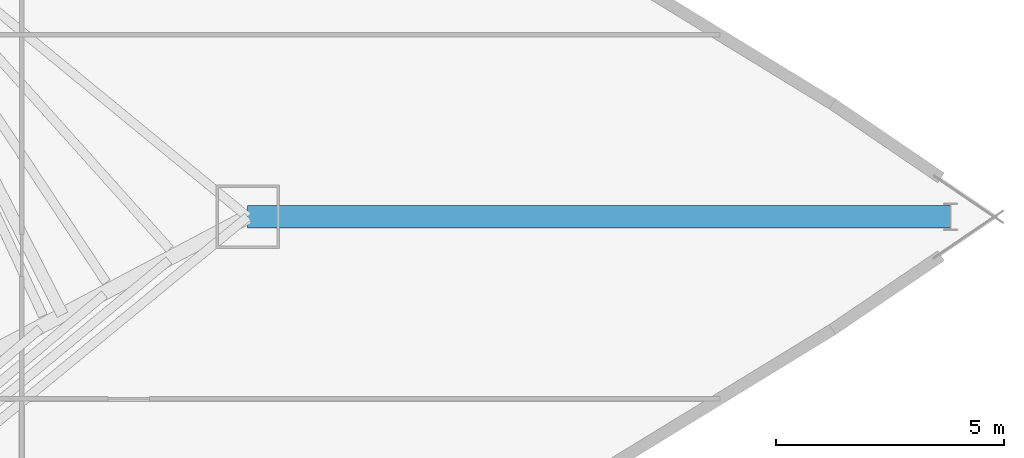
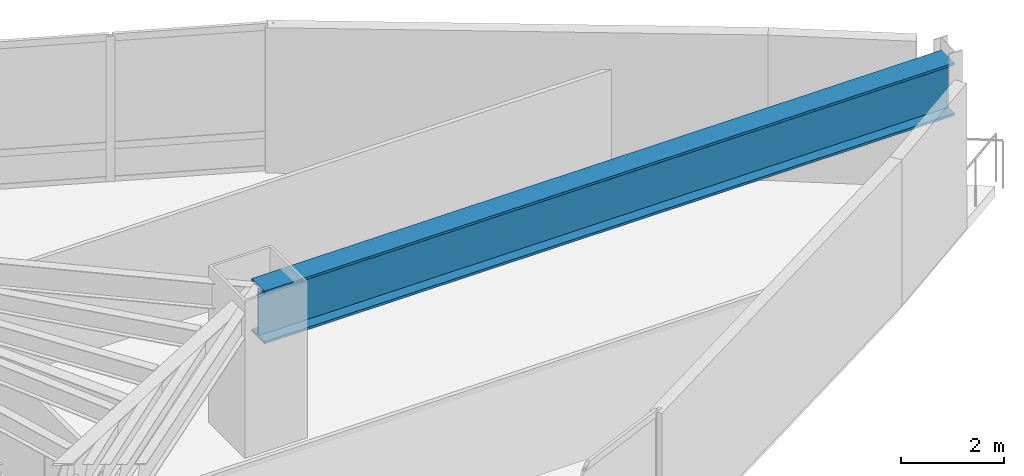
# One storey, part 12 of 20: 1 beam.
"""IFC4 building model written with IfcOpenShell, lengths in metres."""

from ifc_helpers import new_model, si_unit, direction, frame, origin, origin_2d, place, context, subcontext, project, spatial, i_section, extrude, material, material_profile, profile_set, type_object, element, save


model = new_model("IFC4")

# Units and contexts
model_context = context("Model", 3, precision=1e-05, world=origin(), true_north=direction((0.0, 1.0)))
body_context = subcontext(model_context, "Body", "Model", "MODEL_VIEW")
ifc_project = project(units=[si_unit("LENGTHUNIT", "METRE"), si_unit("AREAUNIT", "SQUARE_METRE"), si_unit("VOLUMEUNIT", "CUBIC_METRE"), si_unit("PLANEANGLEUNIT", "RADIAN"), si_unit("MASSUNIT", "GRAM", prefix="KILO")], contexts=[model_context])

# Site, building, storey
site_placement = place(None, origin())
site = spatial("IfcSite", under=ifc_project, at=site_placement, CompositionType="ELEMENT")
building_placement = place(site_placement, origin())
building = spatial("IfcBuilding", under=site, at=building_placement, Name="Menara Vayukalpa", CompositionType="ELEMENT")
storey_placement = place(building_placement, frame((0.0, 0.0, 64.800048828125)))
storey = spatial("IfcBuildingStorey", under=building, at=storey_placement, Name="L15", CompositionType="ELEMENT", Elevation=64.800048828125)

# Beam
ifc_material = material(Name="Steel S460", Category="steel")
ifc_material_profile = material_profile(ifc_material, i_section(OverallWidth=0.5, OverallDepth=1.25, WebThickness=0.028076171875, FlangeThickness=0.054931640625, at=origin_2d()), Name="WG 1250x500x28x55")
ifc_profile_set = profile_set([ifc_material_profile], Name="Steel S460")
beam_type = type_object("IfcBeamType", Name="BM-TG2", PredefinedType="BEAM", material=ifc_profile_set)
beam_placement = place(storey_placement, frame((42.46484375, 22.0, 2.81494140625), z_axis=(1.0, 0.0, 0.0), x_axis=(0.0, 1.0, 0.0)))
element("IfcBeam", 1, at=beam_placement, inside=storey, type_object=beam_type, Name="L15 SB1 Sky Bar Vierendeel Girder 01", PredefinedType="BEAM", context=body_context, shape_type="SweptSolid", body=[
    extrude(i_section(OverallWidth=0.5, OverallDepth=1.25, WebThickness=0.028076171875, FlangeThickness=0.054931640625, at=origin_2d()), origin(), (0.0, 0.0, 1.0), 15.44287109375),
])

save(model, "model.ifc")
